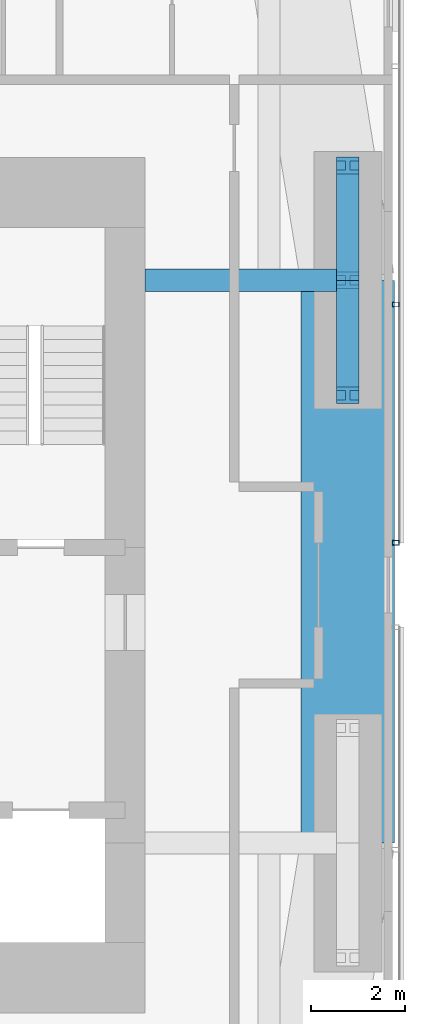
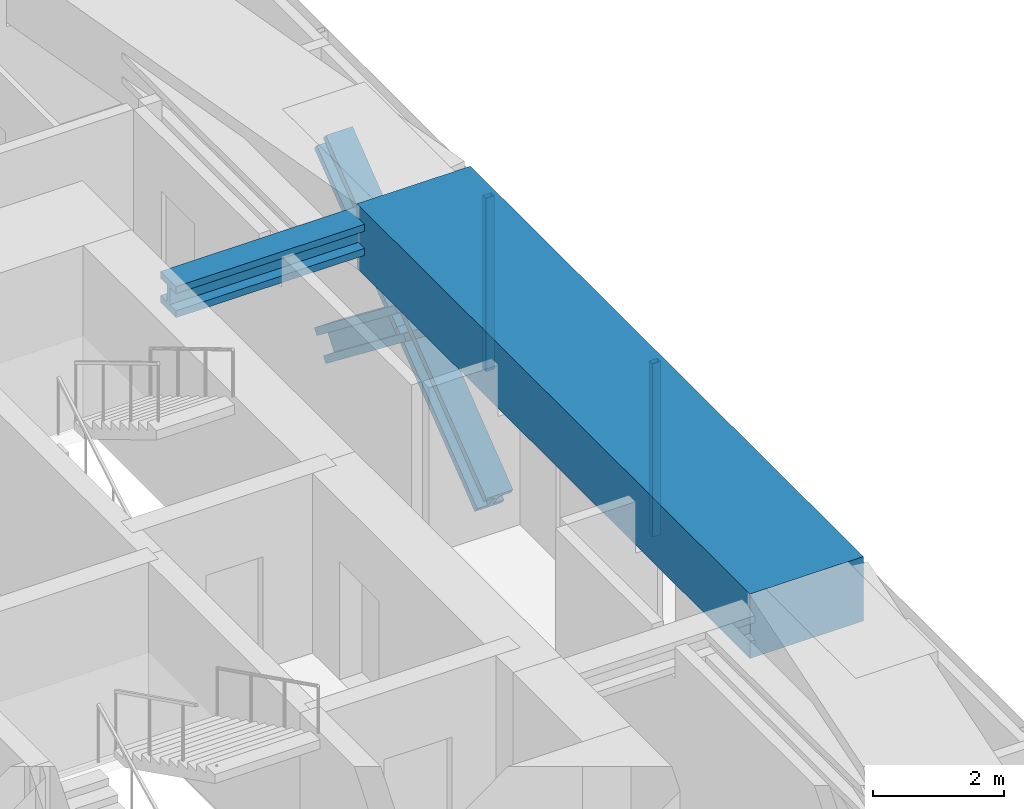
# One storey, part 9 of 23: 6 members, 2 beams, 1 element without a shape of its own.
"""IFC4 building model written with IfcOpenShell, lengths in metres."""

from ifc_helpers import new_model, si_unit, direction, frame, origin, origin_2d, place, context, subcontext, project, spatial, rectangle, hollow_rectangle, i_section, extrude, material, material_profile, profile_set, type_object, element, aggregate, save


model = new_model("IFC4")

# Units and contexts
model_context = context("Model", 3, precision=1e-05, world=origin(), true_north=direction((0.0, 1.0)))
body_context = subcontext(model_context, "Body", "Model", "MODEL_VIEW")
ifc_project = project(units=[si_unit("LENGTHUNIT", "METRE"), si_unit("AREAUNIT", "SQUARE_METRE"), si_unit("VOLUMEUNIT", "CUBIC_METRE"), si_unit("PLANEANGLEUNIT", "RADIAN"), si_unit("MASSUNIT", "GRAM", prefix="KILO")], contexts=[model_context])

# Site, building, storey
site_placement = place(None, origin())
site = spatial("IfcSite", under=ifc_project, at=site_placement, CompositionType="ELEMENT")
building_placement = place(site_placement, origin())
building = spatial("IfcBuilding", under=site, at=building_placement, Name="Jalousie Tower", CompositionType="ELEMENT")
storey_placement = place(building_placement, frame((0.0, 0.0, 84.75)))
storey = spatial("IfcBuildingStorey", under=building, at=storey_placement, Name="L22", CompositionType="ELEMENT", Elevation=84.75)

# Beam
ifc_material_1 = material(Name="Steel ASTM A992 Grade 50", Category="steel")
ifc_material_profile_1 = material_profile(ifc_material_1, i_section(OverallWidth=0.472412109375, OverallDepth=0.5791015625, WebThickness=0.094970703125, FlangeThickness=0.1298828125, at=origin_2d()), Name="W14X808")
ifc_profile_set_1 = profile_set([ifc_material_profile_1], Name="Steel ASTM A992 Grade 50")
beam_type_1 = type_object("IfcBeamType", Name="LEAN COLLECTOR W14X808", PredefinedType="BEAM", material=ifc_profile_set_1)
beam_1_placement = place(storey_placement, frame((48.550048828125, 25.0, 2.8203125), z_axis=(-1.0, 0.0, 0.0), x_axis=(0.0, -1.0, 0.0)))
element("IfcBeam", 1, at=beam_1_placement, inside=storey, type_object=beam_type_1, Name="Lean collector under L23", PredefinedType="BEAM", context=body_context, shape_type="SweptSolid", body=[
    extrude(i_section(OverallWidth=0.472412109375, OverallDepth=0.5791015625, WebThickness=0.094970703125, FlangeThickness=0.1298828125, at=origin_2d()), origin(), (0.0, 0.0, 1.0), 4.324951171875),
])

# Members
ifc_material_2 = material(Name="Steel ASTM A992 Grade 50", Category="steel")
ifc_material_profile_2 = material_profile(ifc_material_2, i_section(OverallWidth=0.472412109375, OverallDepth=0.5791015625, WebThickness=0.094970703125, FlangeThickness=0.1298828125, at=origin_2d()), Name="W14X808")
ifc_profile_set_2 = profile_set([ifc_material_profile_2], Name="Steel ASTM A992 Grade 50")
member_type_1 = type_object("IfcMemberType", Name="PERIMETER BRACE W14X808", PredefinedType="BRACE", material=ifc_profile_set_2)
for number, where, z_axis, x_axis, name in (
    (2, (48.550048828125, 22.550048828125, -1.050048828125), (0.0, 0.790191006211, 0.612860647866), (-1.0, 0.0, 0.0), "Perimeter brace 07 L22 part 1"),
    (3, (48.550048828125, 25.0, 0.85009765625), (0.0, 0.790229140184, 0.612811476723), (-1.0, 0.0, 0.0), "Perimeter brace 07 L22 part 2"),
    (4, (48.550048828125, 27.449951171875, -1.050048828125), (0.0, -0.790191006211, 0.612860647866), (1.0, 0.0, 0.0), "Perimeter brace 07 L22 part 3"),
    (5, (48.550048828125, 25.0, 0.85009765625), (0.0, -0.790229140184, 0.612811476723), (1.0, 0.0, 0.0), "Perimeter brace 07 L22 part 4"),
):
    element("IfcMember", number, at=place(storey_placement, frame(where, z_axis=z_axis, x_axis=x_axis)), inside=storey, type_object=member_type_1, Name=name, PredefinedType="BRACE", context=body_context, shape_type="SweptSolid", body=[
        extrude(i_section(OverallWidth=0.472412109375, OverallDepth=0.5791015625, WebThickness=0.094970703125, FlangeThickness=0.1298828125, at=origin_2d()), origin(), (0.0, 0.0, 1.0), 3.100341796875),
    ])

# Beam
ifc_material_3 = material(Name="Concrete f'c 40 MPa", Category="concrete")
ifc_material_profile_3 = material_profile(ifc_material_3, rectangle(XDim=2.0, YDim=1.199951171875, at=origin_2d()), Name="RC 2000x1200")
ifc_profile_set_3 = profile_set([ifc_material_profile_3], Name="Concrete f'c 40 MPa")
beam_type_2 = type_object("IfcBeamType", Name="RC BEAM 2000x1200", PredefinedType="BEAM", material=ifc_profile_set_3)
beam_2_placement = place(storey_placement, frame((48.550048828125, 13.0, 2.75), z_axis=(0.0, 1.0, 0.0), x_axis=(-1.0, 0.0, 0.0)))
element("IfcBeam", 6, at=beam_2_placement, inside=storey, type_object=beam_type_2, Name="Edge band beam 06-07 under L23", PredefinedType="BEAM", context=body_context, shape_type="SweptSolid", body=[
    extrude(rectangle(XDim=2.0, YDim=1.199951171875, at=origin_2d()), origin(), (0.0, 0.0, 1.0), 12.0),
])

# Curtain wall, members
ifc_material_4 = material(Name="Perforated aluminium sheet", Category="aluminium")
curtain_wall_type = type_object("IfcCurtainWallType", Name="SOLAR SCREEN SS-1", PredefinedType="USERDEFINED", material=ifc_material_4)
curtain_wall_placement = place(storey_placement, origin())
curtain_wall = element("IfcCurtainWall", 7, at=curtain_wall_placement, inside=storey, type_object=curtain_wall_type, Name="Solar screen L22", ObjectType="SOLAR SCREEN SS-1", PredefinedType="USERDEFINED")
ifc_material_5 = material(Name="Steel ASTM A500 Grade C", Category="steel")
ifc_material_profile_4 = material_profile(ifc_material_5, hollow_rectangle(XDim=0.1015625, YDim=0.15234375, WallThickness=0.00634765625, at=origin_2d()), Name="HSS6X4X1/4")
ifc_profile_set_4 = profile_set([ifc_material_profile_4], Name="Steel ASTM A500 Grade C")
member_type_2 = type_object("IfcMemberType", Name="SOLAR SCREEN SS-1 MULLION", PredefinedType="MULLION", material=ifc_profile_set_4)
member_1_placement = place(storey_placement, frame((49.5712890625, 19.39990234375, -0.1201171875), z_axis=(0.0, 0.0, 1.0), x_axis=(0.0, 1.0, 0.0)))
member_1 = element("IfcMember", 8, at=member_1_placement, type_object=member_type_2, Name="SS1 post 1", PredefinedType="MULLION", context=body_context, shape_type="SweptSolid", body=[
    extrude(hollow_rectangle(XDim=0.1015625, YDim=0.15234375, WallThickness=0.00634765625, at=origin_2d()), origin(), (0.0, 0.0, 1.0), 3.230224609375),
])
member_2_placement = place(storey_placement, frame((49.5712890625, 24.48291015625, -0.1201171875), z_axis=(0.0, 0.0, 1.0), x_axis=(0.0, 1.0, 0.0)))
member_2 = element("IfcMember", 9, at=member_2_placement, type_object=member_type_2, Name="SS1 post 2", PredefinedType="MULLION", context=body_context, shape_type="SweptSolid", body=[
    extrude(hollow_rectangle(XDim=0.1015625, YDim=0.15234375, WallThickness=0.00634765625, at=origin_2d()), origin(), (0.0, 0.0, 1.0), 3.230224609375),
])
aggregate(curtain_wall, [member_1, member_2])

save(model, "model.ifc")
